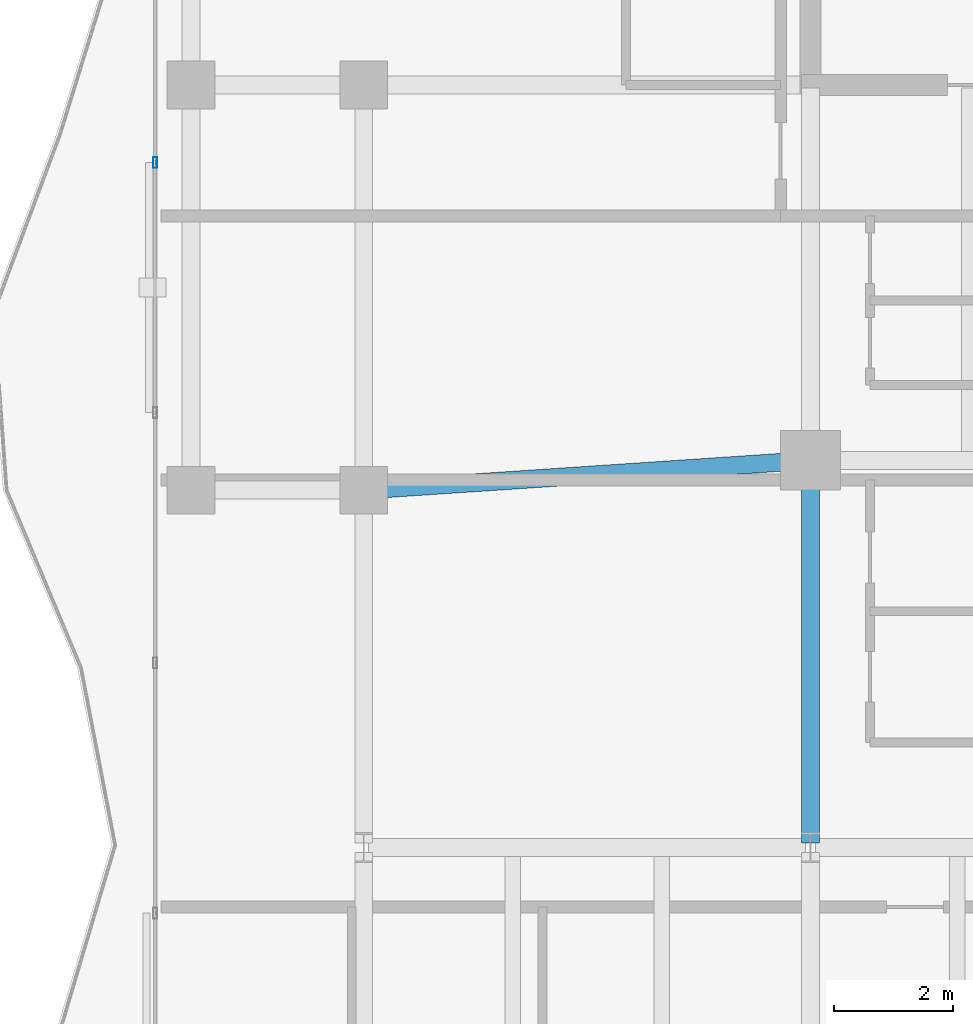
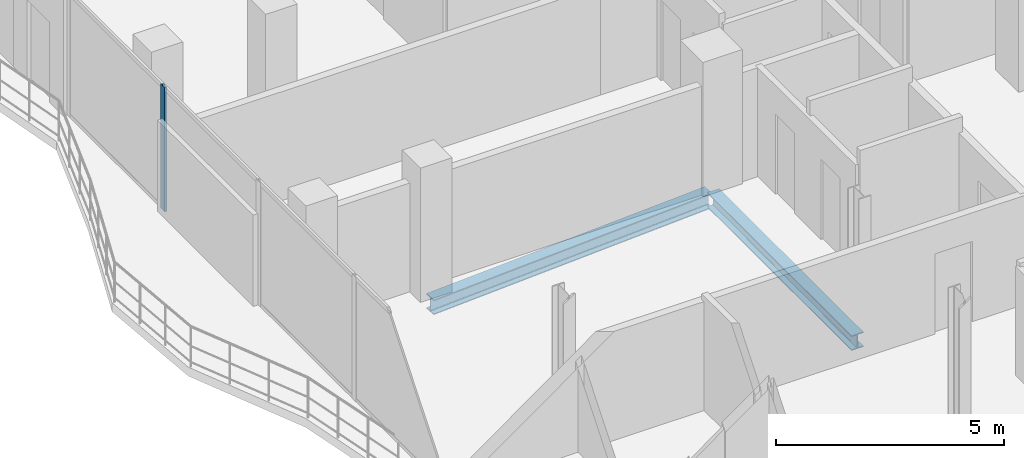
# One storey, part 8 of 23: 2 beams, 1 member, 1 element without a shape of its own.
"""IFC4 building model written with IfcOpenShell, lengths in metres."""

import ifcopenshell
import ifcopenshell.guid

model = None  # the IFC model being written
_history = None  # IfcOwnerHistory: only IFC2X3 demands one
_inside = {}  # id of a spatial element -> (the spatial element, [elements in it])
_under = {}  # id of a project, library or spatial element -> (it, [spatial elements below it])
_declared = {}  # id of a project -> (the project, [libraries it declares])
_typed = {}  # id of a type object -> (the type object, [elements of that type])
_made_of = {}  # id of a material, layer set ... -> (it, [elements and type objects made of it])


def new_model(schema):
    """Start an empty IFC model of exactly this schema.

    Asked for "IFC4X3", IfcOpenShell would pick the latest addendum, in which some entities
    have other attributes; the version numbers below select the first issue.
    IFC2X3 requires an IfcOwnerHistory on every rooted entity: one is made here for all.
    """
    global model, _history
    if schema == "IFC4X3":
        model = ifcopenshell.file(schema_version=(4, 3, 0, 0))
    else:
        model = ifcopenshell.file(schema=schema)
    _inside.clear()
    _under.clear()
    _declared.clear()
    _typed.clear()
    _made_of.clear()
    _history = None
    if model.schema == "IFC2X3":
        org = make("IfcOrganization", Name="unknown")
        user = make(
            "IfcPersonAndOrganization",
            ThePerson=make("IfcPerson", FamilyName="unknown"),
            TheOrganization=org,
        )
        app = make(
            "IfcApplication",
            ApplicationDeveloper=org,
            Version="unknown",
            ApplicationFullName="unknown",
            ApplicationIdentifier="unknown",
        )
        _history = make(
            "IfcOwnerHistory",
            OwningUser=user,
            OwningApplication=app,
            ChangeAction="ADDED",
            CreationDate=0,
        )
    return model


def make(cls, **values):
    """One entity of the class cls with the attributes given. An attribute that is None is left unset."""
    return model.create_entity(
        cls, **{name: value for name, value in values.items() if value is not None}
    )


def rooted(cls, **values):
    """An entity with a GlobalId (a new one), such as an element, a storey or a relation."""
    return make(cls, GlobalId=ifcopenshell.guid.new(), OwnerHistory=_history, **values)


def si_unit(unit_type, name, prefix=None):
    """IfcSIUnit, for example si_unit("LENGTHUNIT", "METRE", prefix="MILLI")."""
    return make("IfcSIUnit", UnitType=unit_type, Prefix=prefix, Name=name)


def assignment(units):
    """IfcUnitAssignment: the units of a project."""
    return None if units is None else make("IfcUnitAssignment", Units=units)


def point(xyz):
    """IfcCartesianPoint."""
    return None if xyz is None else make("IfcCartesianPoint", Coordinates=xyz)


def direction(xyz):
    """IfcDirection."""
    return None if xyz is None else make("IfcDirection", DirectionRatios=xyz)


def frame(location, z_axis=None, x_axis=None):
    """IfcAxis2Placement3D, a coordinate frame: its origin and axes. An axis left out is left unset."""
    return make(
        "IfcAxis2Placement3D",
        Location=point(location),
        Axis=direction(z_axis),
        RefDirection=direction(x_axis),
    )


def frame_2d(location, x_axis=None):
    """IfcAxis2Placement2D, a coordinate frame in the plane: its origin and x axis."""
    return make(
        "IfcAxis2Placement2D", Location=point(location), RefDirection=direction(x_axis)
    )


def origin():
    """The frame at (0, 0, 0) with its axes left unset."""
    return frame((0.0, 0.0, 0.0))


def origin_2d():
    """The frame at (0, 0) in the plane with its x axis left unset."""
    return frame_2d((0.0, 0.0))


def place(relative_to, where):
    """IfcLocalPlacement: puts the frame where relative to a parent placement (None: the world)."""
    return make(
        "IfcLocalPlacement", PlacementRelTo=relative_to, RelativePlacement=where
    )


def context(
    kind, dimensions, precision=None, world=None, true_north=None, identifier=None
):
    """IfcGeometricRepresentationContext, for example the 3D "Model" context."""
    return make(
        "IfcGeometricRepresentationContext",
        ContextIdentifier=identifier,
        ContextType=kind,
        CoordinateSpaceDimension=dimensions,
        Precision=precision,
        WorldCoordinateSystem=world,
        TrueNorth=true_north,
    )


def subcontext(parent, identifier, kind, view, scale=None):
    """IfcGeometricRepresentationSubContext, for example "Body" below "Model"."""
    return make(
        "IfcGeometricRepresentationSubContext",
        ContextIdentifier=identifier,
        ContextType=kind,
        ParentContext=parent,
        TargetScale=scale,
        TargetView=view,
    )


def project(units=None, contexts=None):
    """IfcProject with its units and contexts."""
    return rooted(
        "IfcProject",
        Name="project",
        RepresentationContexts=contexts,
        UnitsInContext=assignment(units),
    )


def spatial(cls, under=None, at=None, **own):
    """A site, building, storey or space (cls), placed at a placement, below another one or the project."""
    s = rooted(cls, ObjectPlacement=at, **own)
    if under is not None:
        _under.setdefault(under.id(), (under, []))[1].append(s)
    return s


def profile(cls, at=None, kind="AREA", **sizes):
    """A parametric profile (cls). Its sizes go by their IFC names, for example OverallWidth=200.0."""
    return make(cls, ProfileType=kind, Position=at, **sizes)


def hollow_rectangle(**sizes):
    """IfcRectangleHollowProfileDef."""
    return profile("IfcRectangleHollowProfileDef", **sizes)


def i_section(**sizes):
    """IfcIShapeProfileDef."""
    return profile("IfcIShapeProfileDef", **sizes)


def extrude(swept, where, along, depth):
    """IfcExtrudedAreaSolid: the profile swept, set in the frame where, extruded along a direction by depth."""
    return make(
        "IfcExtrudedAreaSolid",
        SweptArea=swept,
        Position=where,
        ExtrudedDirection=direction(along),
        Depth=depth,
    )


def shape(context_of_items, identifier, shape_type, items):
    """IfcShapeRepresentation: the items that make up one representation, for example the "Body"."""
    return make(
        "IfcShapeRepresentation",
        ContextOfItems=context_of_items,
        RepresentationIdentifier=identifier,
        RepresentationType=shape_type,
        Items=items,
    )


def material(Name=None, Category=None):
    """IfcMaterial."""
    return make("IfcMaterial", Name=Name, Category=Category)


def layer(
    of_material, thickness, ventilated=None, Name=None, Category=None, Priority=None
):
    """IfcMaterialLayer: one layer of a wall or slab, of a material (None: an air gap)."""
    return make(
        "IfcMaterialLayer",
        Material=of_material,
        LayerThickness=thickness,
        IsVentilated=ventilated,
        Name=Name,
        Category=Category,
        Priority=Priority,
    )


def layer_set(layers, Name=None):
    """IfcMaterialLayerSet."""
    return make("IfcMaterialLayerSet", MaterialLayers=layers, LayerSetName=Name)


def material_profile(
    of_material, cross_section, Name=None, Category=None, Priority=None
):
    """IfcMaterialProfile: a cross section and its material."""
    return make(
        "IfcMaterialProfile",
        Name=Name,
        Material=of_material,
        Profile=cross_section,
        Priority=Priority,
        Category=Category,
    )


def profile_set(profiles, Name=None, composite=None):
    """IfcMaterialProfileSet."""
    return make(
        "IfcMaterialProfileSet",
        Name=Name,
        MaterialProfiles=profiles,
        CompositeProfile=composite,
    )


def made_of(thing, what):
    """Note that an element or type object is made of a material, layer set ...; save() writes the relation."""
    if what is not None:
        _made_of.setdefault(what.id(), (what, []))[1].append(thing)
    return thing


def type_object(cls, material=None, **own):
    """A type object (cls), such as IfcWallType, which elements share."""
    return made_of(rooted(cls, **own), material)


def element(
    cls,
    number,
    at=None,
    inside=None,
    cuts=None,
    type_object=None,
    material=None,
    context=None,
    identifier="Body",
    shape_type=None,
    held_by="IfcProductDefinitionShape",
    body=None,
    shapes=None,
    **own,
):
    """One element of the class cls, such as IfcWall. Its Tag is "e" and its number.

    at: its placement. inside: the storey or other place that contains it. cuts: it is an
    opening in that element (IfcRelVoidsElement). A single representation is given by context,
    identifier, shape_type and body (its items); several are given by shapes. held_by: the class
    of the entity that holds the representations. save() writes the other relations.
    """
    e = rooted(cls, Tag="e%d" % number, ObjectPlacement=at, **own)
    if body is not None:
        shapes = [shape(context, identifier, shape_type, body)]
    if shapes is not None:
        e.Representation = make(held_by, Representations=shapes)
    if inside is not None:
        _inside.setdefault(inside.id(), (inside, []))[1].append(e)
    if cuts is not None:
        rooted(
            "IfcRelVoidsElement", RelatingBuildingElement=cuts, RelatedOpeningElement=e
        )
    if type_object is not None:
        _typed.setdefault(type_object.id(), (type_object, []))[1].append(e)
    return made_of(e, material)


def aggregate(whole, parts):
    """IfcRelAggregates: a whole, such as a stair, and the parts it consists of."""
    return rooted("IfcRelAggregates", RelatingObject=whole, RelatedObjects=parts)


def save(model, path):
    """Write the relations noted so far, then the file.

    IfcRelAggregates (storeys below a building ...), IfcRelContainedInSpatialStructure (elements
    in a storey), IfcRelDefinesByType, IfcRelAssociatesMaterial and IfcRelDeclares: one each for
    every whole, place, type object, material and project.
    """
    for whole, parts in _under.values():
        aggregate(whole, parts)
    for where, things in _inside.values():
        rooted(
            "IfcRelContainedInSpatialStructure",
            RelatedElements=things,
            RelatingStructure=where,
        )
    for kind, things in _typed.values():
        rooted("IfcRelDefinesByType", RelatedObjects=things, RelatingType=kind)
    for what, things in _made_of.values():
        rooted("IfcRelAssociatesMaterial", RelatedObjects=things, RelatingMaterial=what)
    for by, libraries in _declared.values():
        rooted("IfcRelDeclares", RelatingContext=by, RelatedDefinitions=libraries)
    model.write(path)


model = new_model("IFC4")

# Units and contexts
model_context = context("Model", 3, precision=1e-05, world=origin(), true_north=direction((0.0, 1.0)))
body_context = subcontext(model_context, "Body", "Model", "MODEL_VIEW")
ifc_project = project(units=[si_unit("LENGTHUNIT", "METRE"), si_unit("AREAUNIT", "SQUARE_METRE"), si_unit("VOLUMEUNIT", "CUBIC_METRE"), si_unit("PLANEANGLEUNIT", "RADIAN"), si_unit("MASSUNIT", "GRAM", prefix="KILO")], contexts=[model_context])

# Site, building, storey
site_placement = place(None, origin())
site = spatial("IfcSite", under=ifc_project, at=site_placement, CompositionType="ELEMENT")
building_placement = place(site_placement, origin())
building = spatial("IfcBuilding", under=site, at=building_placement, Name="Catumbela Crestline Tower", CompositionType="ELEMENT")
storey_placement = place(building_placement, frame((0.0, 0.0, 179.4)))
storey = spatial("IfcBuildingStorey", under=building, at=storey_placement, Name="L46", CompositionType="ELEMENT", Elevation=179.4)

# Beams
ifc_material_1 = material(Name="Structural steel S355J2", Category="steel")
ifc_material_profile_1 = material_profile(ifc_material_1, i_section(OverallWidth=0.3, OverallDepth=0.4, WebThickness=0.0135, FlangeThickness=0.024, FilletRadius=0.027, at=origin_2d()), Name="HEB 400")
ifc_profile_set_1 = profile_set([ifc_material_profile_1], Name="Structural steel S355J2")
beam_type = type_object("IfcBeamType", Name="BG-HEB400", PredefinedType="BEAM", material=ifc_profile_set_1)
beam_1_placement = place(storey_placement, frame((8.5798, 24.0053, -0.46), z_axis=(0.997784796964, 0.066524423687, 0.0), x_axis=(-0.066524423687, 0.997784796964, 0.0)))
element("IfcBeam", 1, at=beam_1_placement, inside=storey, type_object=beam_type, Name="L46 Beam BM-L46-S02", PredefinedType="BEAM", context=body_context, shape_type="SweptSolid", body=[
    extrude(i_section(OverallWidth=0.3, OverallDepth=0.4, WebThickness=0.0135, FlangeThickness=0.024, FilletRadius=0.027, at=origin_2d()), origin(), (0.0, 0.0, 1.0), 7.3567),
])
beam_2_placement = place(storey_placement, frame((16.0, 18.08, -0.46), z_axis=(0.0, 1.0, 0.0), x_axis=(-1.0, 0.0, 0.0)))
element("IfcBeam", 2, at=beam_2_placement, inside=storey, type_object=beam_type, Name="L46 Beam BM-L46-WNS42", PredefinedType="BEAM", context=body_context, shape_type="SweptSolid", body=[
    extrude(i_section(OverallWidth=0.3, OverallDepth=0.4, WebThickness=0.0135, FlangeThickness=0.024, FilletRadius=0.027, at=origin_2d()), origin(), (0.0, 0.0, 1.0), 6.34),
])

# Curtain wall, member
ifc_material_2 = material(Name="Aluminium alloy AW-6060-T66", Category="aluminium")
ifc_layer = layer(ifc_material_2, 0.18, Name="Aluminium alloy AW-6060-T66")
ifc_layer_set = layer_set([ifc_layer], Name="Aluminium alloy AW-6060-T66")
curtain_wall_type = type_object("IfcCurtainWallType", Name="CWU-Z3", PredefinedType="USERDEFINED", material=ifc_layer_set)
curtain_wall_placement = place(storey_placement, origin())
curtain_wall = element("IfcCurtainWall", 3, at=curtain_wall_placement, inside=storey, type_object=curtain_wall_type, Name="L46 Unitised Curtain Wall CW-L46-E9S2", ObjectType="UNITISED", PredefinedType="USERDEFINED")
ifc_material_profile_2 = material_profile(ifc_material_2, hollow_rectangle(XDim=0.065, YDim=0.18, WallThickness=0.004, at=origin_2d()), Name="ALU 180x65x4")
ifc_profile_set_2 = profile_set([ifc_material_profile_2], Name="Aluminium alloy AW-6060-T66")
member_type = type_object("IfcMemberType", Name="MUL-180X65", PredefinedType="MULLION", material=ifc_profile_set_2)
member_placement = place(storey_placement, frame((5.0, 29.5, 0.0), z_axis=(0.0, 0.0, 1.0), x_axis=(1.0, 0.0, 0.0)))
member = element("IfcMember", 4, at=member_placement, type_object=member_type, Name="CWU-Z3 mullion 2", PredefinedType="MULLION", context=body_context, shape_type="SweptSolid", body=[
    extrude(hollow_rectangle(XDim=0.065, YDim=0.18, WallThickness=0.004, at=origin_2d()), origin(), (0.0, 0.0, 1.0), 3.33),
])
aggregate(curtain_wall, [member])

save(model, "model.ifc")
